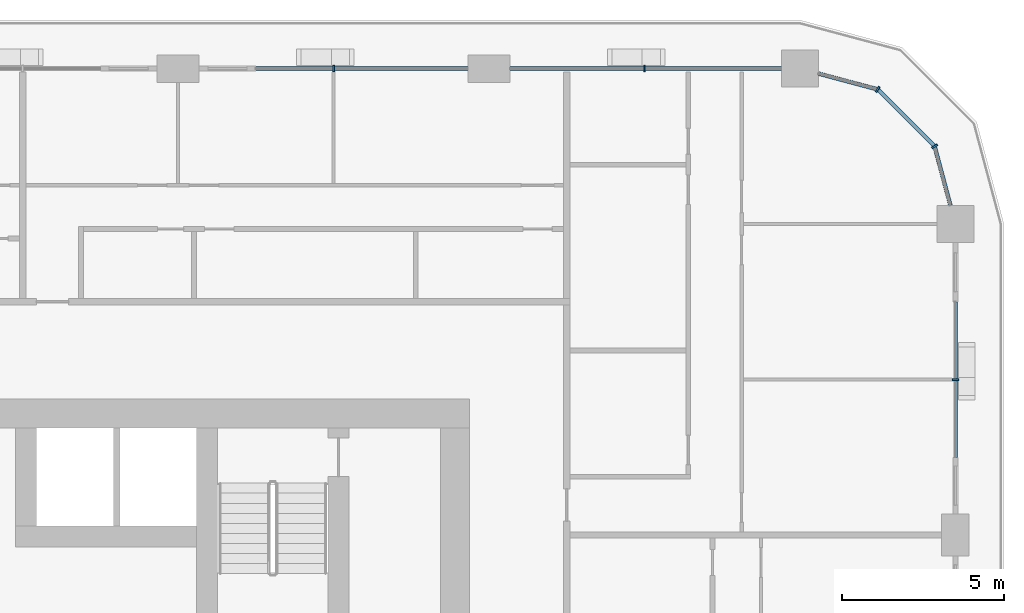
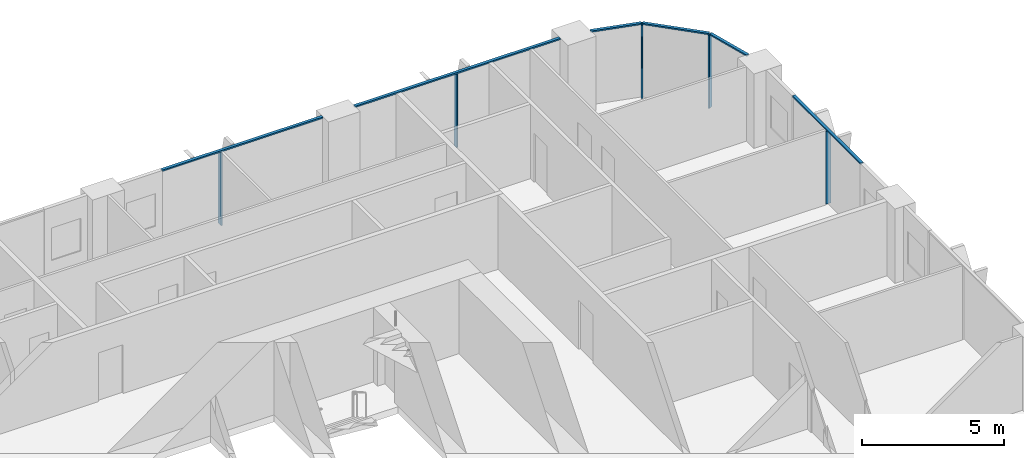
# One storey, part 6 of 22: 11 members, 4 elements without a shape of their own.
"""IFC4 building model written with IfcOpenShell, lengths in metres."""

from ifc_helpers import new_model, si_unit, direction, frame, origin, origin_2d, place, context, subcontext, project, spatial, rectangle, extrude, material, layer, layer_set, material_profile, profile_set, type_object, element, aggregate, save


model = new_model("IFC4")

# Units and contexts
model_context = context("Model", 3, precision=1e-05, world=origin(), true_north=direction((0.0, 1.0)))
body_context = subcontext(model_context, "Body", "Model", "MODEL_VIEW")
ifc_project = project(units=[si_unit("LENGTHUNIT", "METRE"), si_unit("AREAUNIT", "SQUARE_METRE"), si_unit("VOLUMEUNIT", "CUBIC_METRE"), si_unit("PLANEANGLEUNIT", "RADIAN"), si_unit("MASSUNIT", "GRAM", prefix="KILO")], contexts=[model_context])

# Site, building, storey
site_placement = place(None, origin())
site = spatial("IfcSite", under=ifc_project, at=site_placement, CompositionType="ELEMENT")
building_placement = place(site_placement, origin())
building = spatial("IfcBuilding", under=site, at=building_placement, Name="Madar Terraces", CompositionType="ELEMENT")
storey_placement = place(building_placement, frame((0.0, 0.0, 73.300048828125)))
storey = spatial("IfcBuildingStorey", under=building, at=storey_placement, Name="L18", CompositionType="ELEMENT", Elevation=73.300048828125)

# Curtain wall, member
ifc_material_1 = material(Name="Glass, ceramic frit dark grey, with black aluminium frame", Category="aluminium")
ifc_layer = layer(ifc_material_1, 0.199951171875)
ifc_layer_set = layer_set([ifc_layer], Name="Facade curtain wall, fritted glass")
curtain_wall_type = type_object("IfcCurtainWallType", Name="Facade curtain wall, fritted glass", PredefinedType="NOTDEFINED", material=ifc_layer_set)
curtain_wall_1_placement = place(storey_placement, origin())
curtain_wall_1 = element("IfcCurtainWall", 1, at=curtain_wall_1_placement, inside=storey, type_object=curtain_wall_type, Name="Outer skin curtain wall east bay 4", PredefinedType="NOTDEFINED")
ifc_material_2 = material(Name="Aluminium, black anodised", Category="aluminium")
ifc_material_profile_1 = material_profile(ifc_material_2, rectangle(XDim=0.199951171875, YDim=0.06005859375, at=origin_2d()), Name="Facade mullion 60x200")
ifc_profile_set_1 = profile_set([ifc_material_profile_1], Name="Aluminium, black anodised")
member_type_1 = type_object("IfcMemberType", Name="Facade mullion 60x200", PredefinedType="MULLION", material=ifc_profile_set_1)
member_1_placement = place(storey_placement, frame((62.39990234375, 38.39990234375, 0.0), z_axis=(0.0, 0.0, 1.0), x_axis=(-1.0, 0.0, 0.0)))
member_1 = element("IfcMember", 2, at=member_1_placement, type_object=member_type_1, Name="Mullion 1", PredefinedType="MULLION", context=body_context, shape_type="SweptSolid", body=[
    extrude(rectangle(XDim=0.199951171875, YDim=0.06005859375, at=origin_2d()), origin(), (0.0, 0.0, 1.0), 3.139892578125),
])

curtain_wall_2_placement = place(storey_placement, origin())
curtain_wall_2 = element("IfcCurtainWall", 3, at=curtain_wall_2_placement, inside=storey, type_object=curtain_wall_type, Name="Outer skin curtain wall north bay 1", PredefinedType="NOTDEFINED")
member_2_placement = place(storey_placement, frame((52.800048828125, 48.0, 0.0), z_axis=(0.0, 0.0, 1.0), x_axis=(0.0, -1.0, 0.0)))
member_2 = element("IfcMember", 4, at=member_2_placement, type_object=member_type_1, Name="Mullion 1", PredefinedType="MULLION", context=body_context, shape_type="SweptSolid", body=[
    extrude(rectangle(XDim=0.199951171875, YDim=0.06005859375, at=origin_2d()), origin(), (0.0, 0.0, 1.0), 3.139892578125),
])

curtain_wall_3_placement = place(storey_placement, origin())
curtain_wall_3 = element("IfcCurtainWall", 5, at=curtain_wall_3_placement, inside=storey, type_object=curtain_wall_type, Name="Outer skin curtain wall north bay 2", PredefinedType="NOTDEFINED")
member_3_placement = place(storey_placement, frame((43.199951171875, 48.0, 0.0), z_axis=(0.0, 0.0, 1.0), x_axis=(0.0, -1.0, 0.0)))
member_3 = element("IfcMember", 6, at=member_3_placement, type_object=member_type_1, Name="Mullion 1", PredefinedType="MULLION", context=body_context, shape_type="SweptSolid", body=[
    extrude(rectangle(XDim=0.199951171875, YDim=0.06005859375, at=origin_2d()), origin(), (0.0, 0.0, 1.0), 3.139892578125),
])

# Curtain wall, members
curtain_wall_4_placement = place(storey_placement, origin())
curtain_wall_4 = element("IfcCurtainWall", 7, at=curtain_wall_4_placement, inside=storey, type_object=curtain_wall_type, Name="Outer skin curtain wall north-east corner", PredefinedType="NOTDEFINED")
member_4_placement = place(storey_placement, frame((61.7568359375, 45.60009765625, 0.0), z_axis=(0.0, 0.0, 1.0), x_axis=(-0.866025409797, -0.499999989586, 0.0)))
member_4 = element("IfcMember", 8, at=member_4_placement, type_object=member_type_1, Name="Mullion 1", PredefinedType="MULLION", context=body_context, shape_type="SweptSolid", body=[
    extrude(rectangle(XDim=0.199951171875, YDim=0.06005859375, at=origin_2d()), origin(), (0.0, 0.0, 1.0), 3.139892578125),
])
member_5_placement = place(storey_placement, frame((60.0, 47.35693359375, 0.0), z_axis=(0.0, 0.0, 1.0), x_axis=(-0.499999989586, -0.866025409797, 0.0)))
member_5 = element("IfcMember", 9, at=member_5_placement, type_object=member_type_1, Name="Mullion 2", PredefinedType="MULLION", context=body_context, shape_type="SweptSolid", body=[
    extrude(rectangle(XDim=0.199951171875, YDim=0.06005859375, at=origin_2d()), origin(), (0.0, 0.0, 1.0), 3.139892578125),
])

# Member
ifc_material_3 = material(Name="Aluminium, black anodised", Category="aluminium")
ifc_material_profile_2 = material_profile(ifc_material_3, rectangle(XDim=0.1201171875, YDim=0.06005859375, at=origin_2d()), Name="Facade transom 60x120")
ifc_profile_set_2 = profile_set([ifc_material_profile_2], Name="Aluminium, black anodised")
member_type_2 = type_object("IfcMemberType", Name="Facade transom 60x120", PredefinedType="USERDEFINED", material=ifc_profile_set_2)
member_6_placement = place(storey_placement, frame((62.39990234375, 36.0, 3.169921875), z_axis=(0.0, 1.0, 0.0), x_axis=(-1.0, 0.0, 0.0)))
member_6 = element("IfcMember", 10, at=member_6_placement, type_object=member_type_2, Name="Transom 1", ObjectType="TRANSOM", PredefinedType="USERDEFINED", context=body_context, shape_type="SweptSolid", body=[
    extrude(rectangle(XDim=0.1201171875, YDim=0.06005859375, at=origin_2d()), origin(), (0.0, 0.0, 1.0), 4.800048828125),
])

aggregate(curtain_wall_1, [member_1, member_6])

member_7_placement = place(storey_placement, frame((57.02490234375, 48.0, 3.169921875), z_axis=(-1.0, 0.0, 0.0), x_axis=(0.0, -1.0, 0.0)))
member_7 = element("IfcMember", 11, at=member_7_placement, type_object=member_type_2, Name="Transom 1", ObjectType="TRANSOM", PredefinedType="USERDEFINED", context=body_context, shape_type="SweptSolid", body=[
    extrude(rectangle(XDim=0.1201171875, YDim=0.06005859375, at=origin_2d()), origin(), (0.0, 0.0, 1.0), 8.375),
])

aggregate(curtain_wall_2, [member_2, member_7])

member_8_placement = place(storey_placement, frame((47.35009765625, 48.0, 3.169921875), z_axis=(-1.0, 0.0, 0.0), x_axis=(0.0, -1.0, 0.0)))
member_8 = element("IfcMember", 12, at=member_8_placement, type_object=member_type_2, Name="Transom 1", ObjectType="TRANSOM", PredefinedType="USERDEFINED", context=body_context, shape_type="SweptSolid", body=[
    extrude(rectangle(XDim=0.1201171875, YDim=0.06005859375, at=origin_2d()), origin(), (0.0, 0.0, 1.0), 6.550048828125),
])

aggregate(curtain_wall_3, [member_3, member_8])

member_9_placement = place(storey_placement, frame((62.245849609375, 43.77490234375, 3.169921875), z_axis=(-0.258782024434, 0.965935745187, 0.0), x_axis=(-0.965935745187, -0.258782024434, 0.0)))
member_9 = element("IfcMember", 13, at=member_9_placement, type_object=member_type_2, Name="Transom 1", ObjectType="TRANSOM", PredefinedType="USERDEFINED", context=body_context, shape_type="SweptSolid", body=[
    extrude(rectangle(XDim=0.1201171875, YDim=0.06005859375, at=origin_2d()), origin(), (0.0, 0.0, 1.0), 1.859375),
])

member_10_placement = place(storey_placement, frame((61.735595703125, 45.62109375, 3.169921875), z_axis=(-0.707056433593, 0.707157125196, 0.0), x_axis=(-0.707157125196, -0.707056433593, 0.0)))
member_10 = element("IfcMember", 14, at=member_10_placement, type_object=member_type_2, Name="Transom 2", ObjectType="TRANSOM", PredefinedType="USERDEFINED", context=body_context, shape_type="SweptSolid", body=[
    extrude(rectangle(XDim=0.1201171875, YDim=0.06005859375, at=origin_2d()), origin(), (0.0, 0.0, 1.0), 2.424560546875),
])

member_11_placement = place(storey_placement, frame((59.970947265625, 47.36474609375, 3.169921875), z_axis=(-0.965926950947, 0.258814847786, 0.0), x_axis=(-0.258814847786, -0.965926950947, 0.0)))
member_11 = element("IfcMember", 15, at=member_11_placement, type_object=member_type_2, Name="Transom 3", ObjectType="TRANSOM", PredefinedType="USERDEFINED", context=body_context, shape_type="SweptSolid", body=[
    extrude(rectangle(XDim=0.1201171875, YDim=0.06005859375, at=origin_2d()), origin(), (0.0, 0.0, 1.0), 1.859130859375),
])

aggregate(curtain_wall_4, [member_4, member_9, member_5, member_10, member_11])

save(model, "model.ifc")
